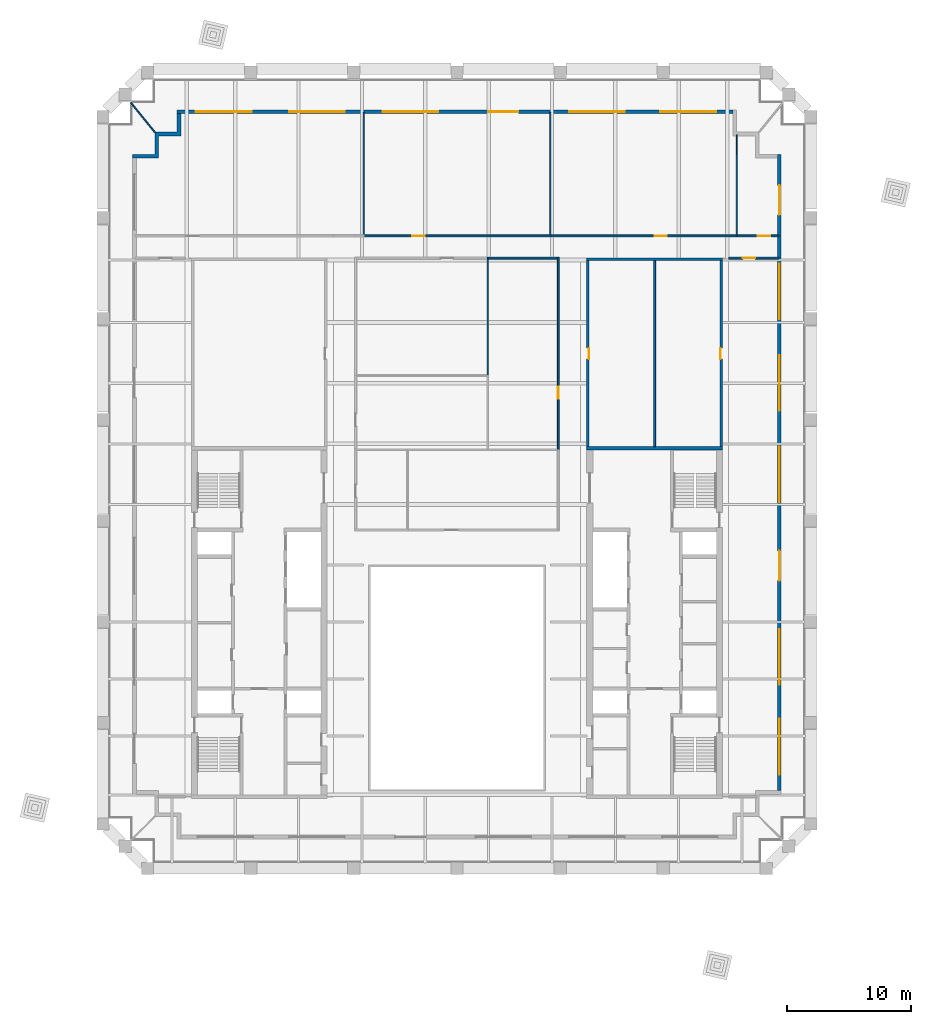
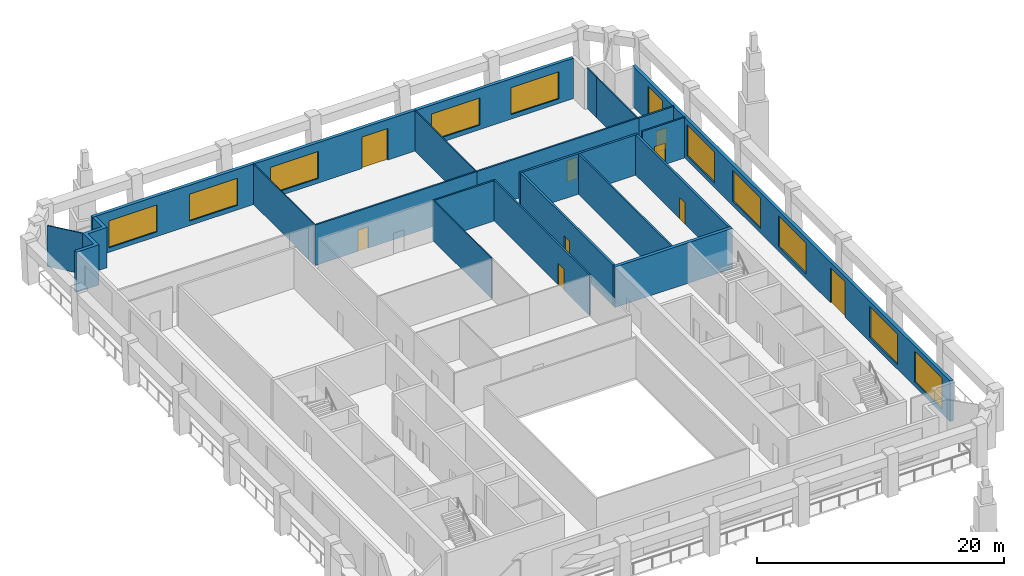
# One storey, part 6 of 8: 20 walls, 10 doors, 10 windows, 20 openings.
"""IFC4 building model written with IfcOpenShell, lengths in metres."""

from ifc_helpers import new_model, si_unit, direction, frame, frame_2d, origin, place, context, subcontext, project, spatial, polyline, rectangle, outline, extrude, material, layer, layer_set, type_object, element, fill, save


model = new_model("IFC4")

# Units and contexts
model_context = context("Model", 3, precision=1e-05, world=origin(), true_north=direction((0.0, 1.0)))
body_context = subcontext(model_context, "Body", "Model", "MODEL_VIEW")
ifc_project = project(units=[si_unit("LENGTHUNIT", "METRE"), si_unit("AREAUNIT", "SQUARE_METRE"), si_unit("VOLUMEUNIT", "CUBIC_METRE"), si_unit("PLANEANGLEUNIT", "RADIAN"), si_unit("MASSUNIT", "GRAM", prefix="KILO")], contexts=[model_context])

# Site, building, storey
site_placement = place(None, origin())
site = spatial("IfcSite", under=ifc_project, at=site_placement, CompositionType="ELEMENT")
building_placement = place(site_placement, origin())
building = spatial("IfcBuilding", under=site, at=building_placement, Name="Ogive Exchange Tower", CompositionType="ELEMENT")
storey_placement = place(building_placement, frame((0.0, 0.0, 309.0)))
storey = spatial("IfcBuildingStorey", under=building, at=storey_placement, Name="L67", CompositionType="ELEMENT", Elevation=309.0)

# Wall
ifc_material_1 = material(Name="Gypsum board partition")
ifc_layer_1 = layer(ifc_material_1, 0.14990234375)
ifc_layer_set_1 = layer_set([ifc_layer_1], Name="Core room partition 150 gypsum")
wall_type_1 = type_object("IfcWallType", Name="Core room partition 150 gypsum", PredefinedType="PARTITIONING", material=ifc_layer_set_1)
wall_1_placement = place(storey_placement, frame((16.0, 25.75, 0.0), z_axis=(0.0, 0.0, 1.0), x_axis=(0.0, 1.0, 0.0)))
element("IfcWall", 1, at=wall_1_placement, inside=storey, type_object=wall_type_1, Name="E annex N column wall", PredefinedType="PARTITIONING", context=body_context, shape_type="SweptSolid", body=[
    extrude(rectangle(XDim=15.050048828125, YDim=0.14990234375, at=frame_2d((7.52490234375, 0.0))), origin(), (0.0, 0.0, 1.0), 4.0),
])

# Wall, opening, door
ifc_material_2 = material(Name="Fire partition EI 60 150")
ifc_layer_2 = layer(ifc_material_2, 0.14990234375)
ifc_layer_set_2 = layer_set([ifc_layer_2], Name="Fire partition EI 60 150")
wall_type_2 = type_object("IfcWallType", Name="Fire partition EI 60 150", PredefinedType="PARTITIONING", material=ifc_layer_set_2)
wall_2_placement = place(storey_placement, frame((-7.550048828125, 42.800048828125, 0.0), z_axis=(0.0, 0.0, 1.0), x_axis=(1.0, 0.0, 0.0)))
wall_2 = element("IfcWall", 2, at=wall_2_placement, inside=storey, type_object=wall_type_2, Name="L67-PWL-012", PredefinedType="PARTITIONING", context=body_context, shape_type="SweptSolid", body=[
    extrude(rectangle(XDim=15.150146484375, YDim=0.14990234375, at=frame_2d((7.5751953125, 0.0))), origin(), (0.0, 0.0, 1.0), 4.0),
])
opening_1_placement = place(wall_2_placement, frame((3.949951171875, 0.0, 0.0)))
opening_1 = element("IfcOpeningElement", 3, at=opening_1_placement, cuts=wall_2, Name="Opening L67-I03", PredefinedType="OPENING", context=body_context, shape_type="SweptSolid", body=[
    extrude(rectangle(XDim=1.0, YDim=2.10009765625, at=frame_2d((0.5, 1.050048828125))), frame((0.0, 0.0849609375, 0.0), z_axis=(0.0, -1.0, 0.0), x_axis=(1.0, 0.0, 0.0)), (0.0, 0.0, 1.0), 0.169921875),
])
ifc_material_3 = material(Name="Fire door FD 30S 1000 x 2100")
door_type_1 = type_object("IfcDoorType", Name="Fire door FD 30S 1000 x 2100", OperationType="NOTDEFINED", PredefinedType="DOOR", material=ifc_material_3)
door_1_placement = place(opening_1_placement, origin())
door_1 = element("IfcDoor", 4, at=door_1_placement, inside=storey, type_object=door_type_1, Name="L67-IDR-003", ObjectType="DT3", OperationType="SINGLE_SWING_RIGHT", OverallHeight=2.10009765625, OverallWidth=1.0, PredefinedType="DOOR", context=body_context, shape_type="SweptSolid", body=[
    extrude(rectangle(XDim=1.0, YDim=2.10009765625, at=frame_2d((0.5, 1.050048828125))), frame((0.0, 0.02490234375, 0.0), z_axis=(0.0, -1.0, 0.0), x_axis=(1.0, 0.0, 0.0)), (0.0, 0.0, 1.0), 0.050048828125),
])
fill(opening_1, door_1)

wall_3_placement = place(storey_placement, frame((7.550048828125, 42.800048828125, 0.0), z_axis=(0.0, 0.0, 1.0), x_axis=(1.0, 0.0, 0.0)))
wall_3 = element("IfcWall", 5, at=wall_3_placement, inside=storey, type_object=wall_type_2, Name="L67-PWL-021", PredefinedType="PARTITIONING", context=body_context, shape_type="SweptSolid", body=[
    extrude(rectangle(XDim=15.14990234375, YDim=0.14990234375, at=frame_2d((7.574951171875, 0.0))), origin(), (0.0, 0.0, 1.0), 4.0),
])
opening_2_placement = place(wall_3_placement, frame((8.449951171875, 0.0, 0.0)))
opening_2 = element("IfcOpeningElement", 6, at=opening_2_placement, cuts=wall_3, Name="Opening L67-I02", PredefinedType="OPENING", context=body_context, shape_type="SweptSolid", body=[
    extrude(rectangle(XDim=1.0, YDim=2.10009765625, at=frame_2d((0.5, 1.050048828125))), frame((0.0, 0.0849609375, 0.0), z_axis=(0.0, -1.0, 0.0), x_axis=(1.0, 0.0, 0.0)), (0.0, 0.0, 1.0), 0.169921875),
])
door_2_placement = place(opening_2_placement, origin())
door_2 = element("IfcDoor", 7, at=door_2_placement, inside=storey, type_object=door_type_1, Name="L67-IDR-002", ObjectType="DT3", OperationType="SINGLE_SWING_RIGHT", OverallHeight=2.10009765625, OverallWidth=1.0, PredefinedType="DOOR", context=body_context, shape_type="SweptSolid", body=[
    extrude(rectangle(XDim=1.0, YDim=2.10009765625, at=frame_2d((0.5, 1.050048828125))), frame((0.0, 0.02490234375, 0.0), z_axis=(0.0, -1.0, 0.0), x_axis=(1.0, 0.0, 0.0)), (0.0, 0.0, 1.0), 0.050048828125),
])
fill(opening_2, door_2)

wall_4_placement = place(storey_placement, frame((8.199951171875, 25.5, 0.0), z_axis=(0.0, 0.0, 1.0), x_axis=(0.0, 1.0, 0.0)))
wall_4 = element("IfcWall", 8, at=wall_4_placement, inside=storey, type_object=wall_type_2, Name="L67-PWL-024", PredefinedType="PARTITIONING", context=body_context, shape_type="SweptSolid", body=[
    extrude(rectangle(XDim=15.574951171875, YDim=0.14990234375, at=frame_2d((7.78759765625, 0.0))), origin(), (0.0, 0.0, 1.0), 4.0),
])
opening_3_placement = place(wall_4_placement, frame((4.10009765625, 0.0, 0.0)))
opening_3 = element("IfcOpeningElement", 9, at=opening_3_placement, cuts=wall_4, Name="Opening L67-I05", PredefinedType="OPENING", context=body_context, shape_type="SweptSolid", body=[
    extrude(rectangle(XDim=1.0, YDim=2.10009765625, at=frame_2d((0.5, 1.050048828125))), frame((0.0, 0.0849609375, 0.0), z_axis=(0.0, -1.0, 0.0), x_axis=(1.0, 0.0, 0.0)), (0.0, 0.0, 1.0), 0.169921875),
])
door_3_placement = place(opening_3_placement, origin())
door_3 = element("IfcDoor", 10, at=door_3_placement, inside=storey, type_object=door_type_1, Name="L67-IDR-005", ObjectType="DT3", OperationType="SINGLE_SWING_LEFT", OverallHeight=2.10009765625, OverallWidth=1.0, PredefinedType="DOOR", context=body_context, shape_type="SweptSolid", body=[
    extrude(rectangle(XDim=1.0, YDim=2.10009765625, at=frame_2d((0.5, 1.050048828125))), frame((0.0, 0.02490234375, 0.0), z_axis=(0.0, -1.0, 0.0), x_axis=(1.0, 0.0, 0.0)), (0.0, 0.0, 1.0), 0.050048828125),
])
fill(opening_3, door_3)

# Wall
wall_5_placement = place(storey_placement, frame((8.125, 41.0, 0.0), z_axis=(0.0, 0.0, 1.0), x_axis=(-1.0, 0.0, 0.0)))
element("IfcWall", 11, at=wall_5_placement, inside=storey, type_object=wall_type_2, Name="L67-PWL-025", PredefinedType="PARTITIONING", context=body_context, shape_type="SweptSolid", body=[
    extrude(rectangle(XDim=5.574951171875, YDim=0.14990234375, at=frame_2d((2.78759765625, 0.0))), origin(), (0.0, 0.0, 1.0), 4.0),
])

# Wall, opening, door
wall_6_placement = place(storey_placement, frame((22.699951171875, 42.800048828125, 0.0), z_axis=(0.0, 0.0, 1.0), x_axis=(1.0, 0.0, 0.0)))
wall_6 = element("IfcWall", 12, at=wall_6_placement, inside=storey, type_object=wall_type_2, Name="L67-PWL-028", PredefinedType="PARTITIONING", context=body_context, shape_type="SweptSolid", body=[
    extrude(rectangle(XDim=3.35009765625, YDim=0.14990234375, at=frame_2d((1.675048828125, 0.0))), origin(), (0.0, 0.0, 1.0), 4.0),
])
opening_4_placement = place(wall_6_placement, frame((1.64990234375, 0.0, 0.0)))
opening_4 = element("IfcOpeningElement", 13, at=opening_4_placement, cuts=wall_6, Name="Opening L67-I01", PredefinedType="OPENING", context=body_context, shape_type="SweptSolid", body=[
    extrude(rectangle(XDim=1.0, YDim=2.10009765625, at=frame_2d((0.5, 1.050048828125))), frame((0.0, 0.0849609375, 0.0), z_axis=(0.0, -1.0, 0.0), x_axis=(1.0, 0.0, 0.0)), (0.0, 0.0, 1.0), 0.169921875),
])
door_4_placement = place(opening_4_placement, origin())
door_4 = element("IfcDoor", 14, at=door_4_placement, inside=storey, type_object=door_type_1, Name="L67-IDR-001", ObjectType="DT3", OperationType="SINGLE_SWING_LEFT", OverallHeight=2.10009765625, OverallWidth=1.0, PredefinedType="DOOR", context=body_context, shape_type="SweptSolid", body=[
    extrude(rectangle(XDim=1.0, YDim=2.10009765625, at=frame_2d((0.5, 1.050048828125))), frame((0.0, 0.02490234375, 0.0), z_axis=(0.0, -1.0, 0.0), x_axis=(1.0, 0.0, 0.0)), (0.0, 0.0, 1.0), 0.050048828125),
])
fill(opening_4, door_4)

wall_7_placement = place(storey_placement, frame((26.050048828125, 41.0, 0.0), z_axis=(0.0, 0.0, 1.0), x_axis=(-1.0, 0.0, 0.0)))
wall_7 = element("IfcWall", 15, at=wall_7_placement, inside=storey, type_object=wall_type_2, Name="L67-PWL-030", PredefinedType="PARTITIONING", context=body_context, shape_type="SweptSolid", body=[
    extrude(rectangle(XDim=4.050048828125, YDim=0.14990234375, at=frame_2d((2.02490234375, 0.0))), origin(), (0.0, 0.0, 1.0), 4.0),
])
opening_5_placement = place(wall_7_placement, frame((1.89990234375, 0.0, 0.0)))
opening_5 = element("IfcOpeningElement", 16, at=opening_5_placement, cuts=wall_7, Name="Opening L67-I11", PredefinedType="OPENING", context=body_context, shape_type="SweptSolid", body=[
    extrude(rectangle(XDim=1.0, YDim=2.10009765625, at=frame_2d((0.5, 1.050048828125))), frame((0.0, 0.0849609375, 0.0), z_axis=(0.0, -1.0, 0.0), x_axis=(1.0, 0.0, 0.0)), (0.0, 0.0, 1.0), 0.169921875),
])
door_5_placement = place(opening_5_placement, origin())
door_5 = element("IfcDoor", 17, at=door_5_placement, inside=storey, type_object=door_type_1, Name="L67-IDR-011", ObjectType="DT3", OperationType="SINGLE_SWING_LEFT", OverallHeight=2.10009765625, OverallWidth=1.0, PredefinedType="DOOR", context=body_context, shape_type="SweptSolid", body=[
    extrude(rectangle(XDim=1.0, YDim=2.10009765625, at=frame_2d((0.5, 1.050048828125))), frame((0.0, 0.02490234375, 0.0), z_axis=(0.0, -1.0, 0.0), x_axis=(1.0, 0.0, 0.0)), (0.0, 0.0, 1.0), 0.050048828125),
])
fill(opening_5, door_5)

# Wall, openings, doors, windows
ifc_material_4 = material(Name="Precast concrete C40/50", Category="concrete")
ifc_layer_3 = layer(ifc_material_4, 0.300048828125)
ifc_layer_set_3 = layer_set([ifc_layer_3], Name="Limestone-faced wall 300")
wall_type_3 = type_object("IfcWallType", Name="Limestone-faced wall 300", PredefinedType="STANDARD", material=ifc_layer_set_3)
wall_8_placement = place(storey_placement, frame((26.10009765625, -2.10009765625, 0.0), z_axis=(0.0, 0.0, 1.0), x_axis=(0.0, 1.0, 0.0)))
wall_8 = element("IfcWall", 18, at=wall_8_placement, inside=storey, type_object=wall_type_3, Name="External wall E2", PredefinedType="STANDARD", context=body_context, shape_type="SweptSolid", body=[
    extrude(rectangle(XDim=51.5, YDim=0.300048828125, at=frame_2d((25.75, 0.0))), origin(), (0.0, 0.0, 1.0), 4.0),
])
opening_6_placement = place(wall_8_placement, frame((1.300048828125, 0.0, 0.449951171875)))
opening_6 = element("IfcOpeningElement", 19, at=opening_6_placement, cuts=wall_8, Name="Opening W1", PredefinedType="OPENING", context=body_context, shape_type="SweptSolid", body=[
    extrude(rectangle(XDim=4.5, YDim=3.050048828125, at=frame_2d((2.25, 1.52490234375))), frame((0.0, 0.159912109375, 0.0), z_axis=(0.0, -1.0, 0.0), x_axis=(1.0, 0.0, 0.0)), (0.0, 0.0, 1.0), 0.320068359375),
])
opening_7_placement = place(wall_8_placement, frame((8.550048828125, 0.0, 0.449951171875)))
opening_7 = element("IfcOpeningElement", 20, at=opening_7_placement, cuts=wall_8, Name="Opening W1", PredefinedType="OPENING", context=body_context, shape_type="SweptSolid", body=[
    extrude(rectangle(XDim=4.5, YDim=3.050048828125, at=frame_2d((2.25, 1.52490234375))), frame((0.0, 0.159912109375, 0.0), z_axis=(0.0, -1.0, 0.0), x_axis=(1.0, 0.0, 0.0)), (0.0, 0.0, 1.0), 0.320068359375),
])
opening_8_placement = place(wall_8_placement, frame((17.0, 0.0, 0.0)))
opening_8 = element("IfcOpeningElement", 21, at=opening_8_placement, cuts=wall_8, Name="Opening D1", PredefinedType="OPENING", context=body_context, shape_type="SweptSolid", body=[
    extrude(rectangle(XDim=2.39990234375, YDim=3.5, at=frame_2d((1.199951171875, 1.75))), frame((0.0, 0.159912109375, 0.0), z_axis=(0.0, -1.0, 0.0), x_axis=(1.0, 0.0, 0.0)), (0.0, 0.0, 1.0), 0.320068359375),
])
opening_9_placement = place(wall_8_placement, frame((23.35009765625, 0.0, 0.449951171875)))
opening_9 = element("IfcOpeningElement", 22, at=opening_9_placement, cuts=wall_8, Name="Opening W1", PredefinedType="OPENING", context=body_context, shape_type="SweptSolid", body=[
    extrude(rectangle(XDim=4.5, YDim=3.050048828125, at=frame_2d((2.25, 1.52490234375))), frame((0.0, 0.159912109375, 0.0), z_axis=(0.0, -1.0, 0.0), x_axis=(1.0, 0.0, 0.0)), (0.0, 0.0, 1.0), 0.320068359375),
])
opening_10_placement = place(wall_8_placement, frame((30.75, 0.0, 0.449951171875)))
opening_10 = element("IfcOpeningElement", 23, at=opening_10_placement, cuts=wall_8, Name="Opening W1", PredefinedType="OPENING", context=body_context, shape_type="SweptSolid", body=[
    extrude(rectangle(XDim=4.5, YDim=3.050048828125, at=frame_2d((2.25, 1.52490234375))), frame((0.0, 0.159912109375, 0.0), z_axis=(0.0, -1.0, 0.0), x_axis=(1.0, 0.0, 0.0)), (0.0, 0.0, 1.0), 0.320068359375),
])
opening_11_placement = place(wall_8_placement, frame((38.14990234375, 0.0, 0.449951171875)))
opening_11 = element("IfcOpeningElement", 24, at=opening_11_placement, cuts=wall_8, Name="Opening W1", PredefinedType="OPENING", context=body_context, shape_type="SweptSolid", body=[
    extrude(rectangle(XDim=4.5, YDim=3.050048828125, at=frame_2d((2.25, 1.52490234375))), frame((0.0, 0.159912109375, 0.0), z_axis=(0.0, -1.0, 0.0), x_axis=(1.0, 0.0, 0.0)), (0.0, 0.0, 1.0), 0.320068359375),
])
opening_12_placement = place(wall_8_placement, frame((46.60009765625, 0.0, 0.0)))
opening_12 = element("IfcOpeningElement", 25, at=opening_12_placement, cuts=wall_8, Name="Opening D1", PredefinedType="OPENING", context=body_context, shape_type="SweptSolid", body=[
    extrude(rectangle(XDim=2.39990234375, YDim=3.5, at=frame_2d((1.199951171875, 1.75))), frame((0.0, 0.159912109375, 0.0), z_axis=(0.0, -1.0, 0.0), x_axis=(1.0, 0.0, 0.0)), (0.0, 0.0, 1.0), 0.320068359375),
])
ifc_material_5 = material(Name="Clear glass in bronze frame", Category="glass")
door_type_2 = type_object("IfcDoorType", Name="Sliding loggia door 2400 x 3500", OperationType="DOUBLE_DOOR_SLIDING", PredefinedType="DOOR", material=ifc_material_5)
door_6_placement = place(opening_8_placement, origin())
door_6 = element("IfcDoor", 26, at=door_6_placement, inside=storey, type_object=door_type_2, Name="Loggia door E02", OperationType="DOUBLE_DOOR_SLIDING", OverallHeight=3.5, OverallWidth=2.39990234375, PredefinedType="DOOR", context=body_context, shape_type="SweptSolid", body=[
    extrude(rectangle(XDim=2.39990234375, YDim=3.5, at=frame_2d((1.199951171875, 1.75))), frame((0.0, 0.02490234375, 0.0), z_axis=(0.0, -1.0, 0.0), x_axis=(1.0, 0.0, 0.0)), (0.0, 0.0, 1.0), 0.050048828125),
])
fill(opening_8, door_6)
door_7_placement = place(opening_12_placement, origin())
door_7 = element("IfcDoor", 27, at=door_7_placement, inside=storey, type_object=door_type_2, Name="Loggia door E06", OperationType="DOUBLE_DOOR_SLIDING", OverallHeight=3.5, OverallWidth=2.39990234375, PredefinedType="DOOR", context=body_context, shape_type="SweptSolid", body=[
    extrude(rectangle(XDim=2.39990234375, YDim=3.5, at=frame_2d((1.199951171875, 1.75))), frame((0.0, 0.02490234375, 0.0), z_axis=(0.0, -1.0, 0.0), x_axis=(1.0, 0.0, 0.0)), (0.0, 0.0, 1.0), 0.050048828125),
])
fill(opening_12, door_7)
window_type_1 = type_object("IfcWindowType", Name="Twin lancet window 4500 x 3050", PartitioningType="DOUBLE_PANEL_VERTICAL", PredefinedType="WINDOW", material=ifc_material_5)
window_1_placement = place(opening_6_placement, origin())
window_1 = element("IfcWindow", 28, at=window_1_placement, inside=storey, type_object=window_type_1, Name="Window E00", OverallHeight=3.050048828125, OverallWidth=4.5, PartitioningType="DOUBLE_PANEL_VERTICAL", PredefinedType="WINDOW", context=body_context, shape_type="SweptSolid", body=[
    extrude(rectangle(XDim=4.5, YDim=3.050048828125, at=frame_2d((2.25, 1.52490234375))), frame((0.0, 0.030029296875, 0.0), z_axis=(0.0, -1.0, 0.0), x_axis=(1.0, 0.0, 0.0)), (0.0, 0.0, 1.0), 0.06005859375),
])
fill(opening_6, window_1)
window_2_placement = place(opening_7_placement, origin())
window_2 = element("IfcWindow", 29, at=window_2_placement, inside=storey, type_object=window_type_1, Name="Window E01", OverallHeight=3.050048828125, OverallWidth=4.5, PartitioningType="DOUBLE_PANEL_VERTICAL", PredefinedType="WINDOW", context=body_context, shape_type="SweptSolid", body=[
    extrude(rectangle(XDim=4.5, YDim=3.050048828125, at=frame_2d((2.25, 1.52490234375))), frame((0.0, 0.030029296875, 0.0), z_axis=(0.0, -1.0, 0.0), x_axis=(1.0, 0.0, 0.0)), (0.0, 0.0, 1.0), 0.06005859375),
])
fill(opening_7, window_2)
window_3_placement = place(opening_9_placement, origin())
window_3 = element("IfcWindow", 30, at=window_3_placement, inside=storey, type_object=window_type_1, Name="Window E03", OverallHeight=3.050048828125, OverallWidth=4.5, PartitioningType="DOUBLE_PANEL_VERTICAL", PredefinedType="WINDOW", context=body_context, shape_type="SweptSolid", body=[
    extrude(rectangle(XDim=4.5, YDim=3.050048828125, at=frame_2d((2.25, 1.52490234375))), frame((0.0, 0.030029296875, 0.0), z_axis=(0.0, -1.0, 0.0), x_axis=(1.0, 0.0, 0.0)), (0.0, 0.0, 1.0), 0.06005859375),
])
fill(opening_9, window_3)
window_4_placement = place(opening_10_placement, origin())
window_4 = element("IfcWindow", 31, at=window_4_placement, inside=storey, type_object=window_type_1, Name="Window E04", OverallHeight=3.050048828125, OverallWidth=4.5, PartitioningType="DOUBLE_PANEL_VERTICAL", PredefinedType="WINDOW", context=body_context, shape_type="SweptSolid", body=[
    extrude(rectangle(XDim=4.5, YDim=3.050048828125, at=frame_2d((2.25, 1.52490234375))), frame((0.0, 0.030029296875, 0.0), z_axis=(0.0, -1.0, 0.0), x_axis=(1.0, 0.0, 0.0)), (0.0, 0.0, 1.0), 0.06005859375),
])
fill(opening_10, window_4)
window_5_placement = place(opening_11_placement, origin())
window_5 = element("IfcWindow", 32, at=window_5_placement, inside=storey, type_object=window_type_1, Name="Window E05", OverallHeight=3.050048828125, OverallWidth=4.5, PartitioningType="DOUBLE_PANEL_VERTICAL", PredefinedType="WINDOW", context=body_context, shape_type="SweptSolid", body=[
    extrude(rectangle(XDim=4.5, YDim=3.050048828125, at=frame_2d((2.25, 1.52490234375))), frame((0.0, 0.030029296875, 0.0), z_axis=(0.0, -1.0, 0.0), x_axis=(1.0, 0.0, 0.0)), (0.0, 0.0, 1.0), 0.06005859375),
])
fill(opening_11, window_5)

# Wall, openings, door, windows
wall_9_placement = place(storey_placement, frame((22.35009765625, 52.85009765625, 0.0), z_axis=(0.0, 0.0, 1.0), x_axis=(-1.0, 0.0, 0.0)))
wall_9 = element("IfcWall", 33, at=wall_9_placement, inside=storey, type_object=wall_type_3, Name="External wall N3", PredefinedType="STANDARD", context=body_context, shape_type="SweptSolid", body=[
    extrude(rectangle(XDim=45.0, YDim=0.300048828125, at=frame_2d((22.5, 0.0))), origin(), (0.0, 0.0, 1.0), 4.0),
])
opening_13_placement = place(wall_9_placement, frame((1.375, 0.0, 0.449951171875)))
opening_13 = element("IfcOpeningElement", 34, at=opening_13_placement, cuts=wall_9, Name="Opening W1J", PredefinedType="OPENING", context=body_context, shape_type="SweptSolid", body=[
    extrude(rectangle(XDim=4.5, YDim=2.675048828125, at=frame_2d((2.25, 1.33740234375))), frame((0.0, 0.159912109375, 0.0), z_axis=(0.0, -1.0, 0.0), x_axis=(1.0, 0.0, 0.0)), (0.0, 0.0, 1.0), 0.320068359375),
])
opening_14_placement = place(wall_9_placement, frame((8.77490234375, 0.0, 0.449951171875)))
opening_14 = element("IfcOpeningElement", 35, at=opening_14_placement, cuts=wall_9, Name="Opening W1J", PredefinedType="OPENING", context=body_context, shape_type="SweptSolid", body=[
    extrude(rectangle(XDim=4.5, YDim=2.675048828125, at=frame_2d((2.25, 1.33740234375))), frame((0.0, 0.159912109375, 0.0), z_axis=(0.0, -1.0, 0.0), x_axis=(1.0, 0.0, 0.0)), (0.0, 0.0, 1.0), 0.320068359375),
])
opening_15_placement = place(wall_9_placement, frame((17.375, 0.0, 0.0)))
opening_15 = element("IfcOpeningElement", 36, at=opening_15_placement, cuts=wall_9, Name="Opening D1J", PredefinedType="OPENING", context=body_context, shape_type="SweptSolid", body=[
    extrude(rectangle(XDim=2.39990234375, YDim=3.125, at=frame_2d((1.199951171875, 1.5625))), frame((0.0, 0.159912109375, 0.0), z_axis=(0.0, -1.0, 0.0), x_axis=(1.0, 0.0, 0.0)), (0.0, 0.0, 1.0), 0.320068359375),
])
opening_16_placement = place(wall_9_placement, frame((23.875, 0.0, 0.449951171875)))
opening_16 = element("IfcOpeningElement", 37, at=opening_16_placement, cuts=wall_9, Name="Opening W1J", PredefinedType="OPENING", context=body_context, shape_type="SweptSolid", body=[
    extrude(rectangle(XDim=4.5, YDim=2.675048828125, at=frame_2d((2.25, 1.33740234375))), frame((0.0, 0.159912109375, 0.0), z_axis=(0.0, -1.0, 0.0), x_axis=(1.0, 0.0, 0.0)), (0.0, 0.0, 1.0), 0.320068359375),
])
opening_17_placement = place(wall_9_placement, frame((31.425048828125, 0.0, 0.449951171875)))
opening_17 = element("IfcOpeningElement", 38, at=opening_17_placement, cuts=wall_9, Name="Opening W1J", PredefinedType="OPENING", context=body_context, shape_type="SweptSolid", body=[
    extrude(rectangle(XDim=4.5, YDim=2.675048828125, at=frame_2d((2.25, 1.33740234375))), frame((0.0, 0.159912109375, 0.0), z_axis=(0.0, -1.0, 0.0), x_axis=(1.0, 0.0, 0.0)), (0.0, 0.0, 1.0), 0.320068359375),
])
opening_18_placement = place(wall_9_placement, frame((38.97509765625, 0.0, 0.449951171875)))
opening_18 = element("IfcOpeningElement", 39, at=opening_18_placement, cuts=wall_9, Name="Opening W1J", PredefinedType="OPENING", context=body_context, shape_type="SweptSolid", body=[
    extrude(rectangle(XDim=4.5, YDim=2.675048828125, at=frame_2d((2.25, 1.33740234375))), frame((0.0, 0.159912109375, 0.0), z_axis=(0.0, -1.0, 0.0), x_axis=(1.0, 0.0, 0.0)), (0.0, 0.0, 1.0), 0.320068359375),
])
door_type_3 = type_object("IfcDoorType", Name="Sliding loggia door 2400 x 3125", OperationType="DOUBLE_DOOR_SLIDING", PredefinedType="DOOR", material=ifc_material_5)
door_8_placement = place(opening_15_placement, origin())
door_8 = element("IfcDoor", 40, at=door_8_placement, inside=storey, type_object=door_type_3, Name="Loggia door N02", OperationType="DOUBLE_DOOR_SLIDING", OverallHeight=3.125, OverallWidth=2.39990234375, PredefinedType="DOOR", context=body_context, shape_type="SweptSolid", body=[
    extrude(rectangle(XDim=2.39990234375, YDim=3.125, at=frame_2d((1.199951171875, 1.5625))), frame((0.0, 0.02490234375, 0.0), z_axis=(0.0, -1.0, 0.0), x_axis=(1.0, 0.0, 0.0)), (0.0, 0.0, 1.0), 0.050048828125),
])
fill(opening_15, door_8)
window_type_2 = type_object("IfcWindowType", Name="Twin lancet window 4500 x 2675", PartitioningType="DOUBLE_PANEL_VERTICAL", PredefinedType="WINDOW", material=ifc_material_5)
window_6_placement = place(opening_13_placement, origin())
window_6 = element("IfcWindow", 41, at=window_6_placement, inside=storey, type_object=window_type_2, Name="Window N00", OverallHeight=2.675048828125, OverallWidth=4.5, PartitioningType="DOUBLE_PANEL_VERTICAL", PredefinedType="WINDOW", context=body_context, shape_type="SweptSolid", body=[
    extrude(rectangle(XDim=4.5, YDim=2.675048828125, at=frame_2d((2.25, 1.33740234375))), frame((0.0, 0.030029296875, 0.0), z_axis=(0.0, -1.0, 0.0), x_axis=(1.0, 0.0, 0.0)), (0.0, 0.0, 1.0), 0.06005859375),
])
fill(opening_13, window_6)
window_7_placement = place(opening_14_placement, origin())
window_7 = element("IfcWindow", 42, at=window_7_placement, inside=storey, type_object=window_type_2, Name="Window N01", OverallHeight=2.675048828125, OverallWidth=4.5, PartitioningType="DOUBLE_PANEL_VERTICAL", PredefinedType="WINDOW", context=body_context, shape_type="SweptSolid", body=[
    extrude(rectangle(XDim=4.5, YDim=2.675048828125, at=frame_2d((2.25, 1.33740234375))), frame((0.0, 0.030029296875, 0.0), z_axis=(0.0, -1.0, 0.0), x_axis=(1.0, 0.0, 0.0)), (0.0, 0.0, 1.0), 0.06005859375),
])
fill(opening_14, window_7)
window_8_placement = place(opening_16_placement, origin())
window_8 = element("IfcWindow", 43, at=window_8_placement, inside=storey, type_object=window_type_2, Name="Window N03", OverallHeight=2.675048828125, OverallWidth=4.5, PartitioningType="DOUBLE_PANEL_VERTICAL", PredefinedType="WINDOW", context=body_context, shape_type="SweptSolid", body=[
    extrude(rectangle(XDim=4.5, YDim=2.675048828125, at=frame_2d((2.25, 1.33740234375))), frame((0.0, 0.030029296875, 0.0), z_axis=(0.0, -1.0, 0.0), x_axis=(1.0, 0.0, 0.0)), (0.0, 0.0, 1.0), 0.06005859375),
])
fill(opening_16, window_8)
window_9_placement = place(opening_17_placement, origin())
window_9 = element("IfcWindow", 44, at=window_9_placement, inside=storey, type_object=window_type_2, Name="Window N04", OverallHeight=2.675048828125, OverallWidth=4.5, PartitioningType="DOUBLE_PANEL_VERTICAL", PredefinedType="WINDOW", context=body_context, shape_type="SweptSolid", body=[
    extrude(rectangle(XDim=4.5, YDim=2.675048828125, at=frame_2d((2.25, 1.33740234375))), frame((0.0, 0.030029296875, 0.0), z_axis=(0.0, -1.0, 0.0), x_axis=(1.0, 0.0, 0.0)), (0.0, 0.0, 1.0), 0.06005859375),
])
fill(opening_17, window_9)
window_10_placement = place(opening_18_placement, origin())
window_10 = element("IfcWindow", 45, at=window_10_placement, inside=storey, type_object=window_type_2, Name="Window N05", OverallHeight=2.675048828125, OverallWidth=4.5, PartitioningType="DOUBLE_PANEL_VERTICAL", PredefinedType="WINDOW", context=body_context, shape_type="SweptSolid", body=[
    extrude(rectangle(XDim=4.5, YDim=2.675048828125, at=frame_2d((2.25, 1.33740234375))), frame((0.0, 0.030029296875, 0.0), z_axis=(0.0, -1.0, 0.0), x_axis=(1.0, 0.0, 0.0)), (0.0, 0.0, 1.0), 0.06005859375),
])
fill(opening_18, window_10)

# Walls
wall_10_placement = place(storey_placement, origin())
element("IfcWall", 46, at=wall_10_placement, inside=storey, type_object=wall_type_3, Name="External corner wall C3", PredefinedType="STANDARD", context=body_context, shape_type="SweptSolid", body=[
    extrude(outline(polyline([(-24.449951171875, 49.39990234375), (-24.449951171875, 51.199951171875), (-22.64990234375, 51.199951171875), (-22.64990234375, 52.699951171875), (-22.35009765625, 52.699951171875), (-22.35009765625, 50.89990234375), (-24.14990234375, 50.89990234375), (-24.14990234375, 49.10009765625), (-26.25, 49.10009765625), (-26.25, 49.39990234375), (-24.449951171875, 49.39990234375)])), origin(), (0.0, 0.0, 1.0), 4.0),
])
ifc_material_6 = material(Name="Laminated safety glass in steel frame", Category="steel")
ifc_layer_4 = layer(ifc_material_6, 0.10009765625)
ifc_layer_set_4 = layer_set([ifc_layer_4], Name="Loggia end screen 100")
wall_type_4 = type_object("IfcWallType", Name="Loggia end screen 100", PredefinedType="STANDARD", material=ifc_layer_set_4)
wall_11_placement = place(storey_placement, frame((-24.449951171875, 51.199951171875, -0.050048828125), z_axis=(0.0, 0.0, 1.0), x_axis=(-0.631657032083, 0.775247956347, 0.0)))
element("IfcWall", 47, at=wall_11_placement, inside=storey, type_object=wall_type_4, Name="Loggia end screen C3", PredefinedType="STANDARD", context=body_context, shape_type="SweptSolid", body=[
    extrude(rectangle(XDim=3.072265625, YDim=0.10009765625, at=frame_2d((1.5361328125, 0.0))), origin(), (0.0, 0.0, 1.0), 4.050048828125),
])
ifc_material_7 = material(Name="Partition 100 gypsum")
ifc_layer_5 = layer(ifc_material_7, 0.10009765625)
ifc_layer_set_5 = layer_set([ifc_layer_5], Name="Partition 100 gypsum")
wall_type_5 = type_object("IfcWallType", Name="Partition 100 gypsum", PredefinedType="PARTITIONING", material=ifc_layer_set_5)
wall_12_placement = place(storey_placement, frame((-7.550048828125, 42.875, 0.0), z_axis=(0.0, 0.0, 1.0), x_axis=(0.0, 1.0, 0.0)))
element("IfcWall", 48, at=wall_12_placement, inside=storey, type_object=wall_type_5, Name="L67-PWL-011", PredefinedType="PARTITIONING", context=body_context, shape_type="SweptSolid", body=[
    extrude(rectangle(XDim=9.925048828125, YDim=0.10009765625, at=frame_2d((4.96240234375, 0.0))), origin(), (0.0, 0.0, 1.0), 4.0),
])
wall_13_placement = place(storey_placement, frame((2.5, 31.550048828125, 0.0), z_axis=(0.0, 0.0, 1.0), x_axis=(0.0, 1.0, 0.0)))
element("IfcWall", 49, at=wall_13_placement, inside=storey, type_object=wall_type_5, Name="L67-PWL-018", PredefinedType="PARTITIONING", context=body_context, shape_type="SweptSolid", body=[
    extrude(rectangle(XDim=9.52490234375, YDim=0.10009765625, at=frame_2d((4.762451171875, 0.0))), origin(), (0.0, 0.0, 1.0), 4.0),
])
wall_14_placement = place(storey_placement, frame((7.550048828125, 42.875, 0.0), z_axis=(0.0, 0.0, 1.0), x_axis=(0.0, 1.0, 0.0)))
element("IfcWall", 50, at=wall_14_placement, inside=storey, type_object=wall_type_5, Name="L67-PWL-020", PredefinedType="PARTITIONING", context=body_context, shape_type="SweptSolid", body=[
    extrude(rectangle(XDim=9.925048828125, YDim=0.10009765625, at=frame_2d((4.96240234375, 0.0))), origin(), (0.0, 0.0, 1.0), 4.0),
])
wall_15_placement = place(storey_placement, frame((22.64990234375, 42.875, 0.0), z_axis=(0.0, 0.0, 1.0), x_axis=(0.0, 1.0, 0.0)))
element("IfcWall", 51, at=wall_15_placement, inside=storey, type_object=wall_type_5, Name="L67-PWL-027", PredefinedType="PARTITIONING", context=body_context, shape_type="SweptSolid", body=[
    extrude(rectangle(XDim=6.534912109375, YDim=0.10009765625, at=frame_2d((3.267578125, 0.0))), origin(), (0.0, 0.0, 1.0), 4.0),
])
wall_16_placement = place(storey_placement, frame((22.659912109375, 49.409912109375, 0.0), z_axis=(0.0, 0.0, 1.0), x_axis=(0.0, 1.0, 0.0)))
element("IfcWall", 52, at=wall_16_placement, inside=storey, type_object=wall_type_5, Name="L67-PWL-029", PredefinedType="PARTITIONING", context=body_context, shape_type="SweptSolid", body=[
    extrude(rectangle(XDim=1.590087890625, YDim=0.10009765625, at=frame_2d((0.794921875, 0.0))), origin(), (0.0, 0.0, 1.0), 4.0),
])

# Wall, opening, door
ifc_material_8 = material(Name="Concrete C70/85", Category="concrete")
ifc_layer_6 = layer(ifc_material_8, 0.199951171875)
ifc_layer_set_6 = layer_set([ifc_layer_6], Name="RC core wall 200 C70/85")
wall_type_6 = type_object("IfcWallType", Name="RC core wall 200 C70/85", PredefinedType="SHEAR", material=ifc_layer_set_6)
wall_17_placement = place(storey_placement, frame((21.39990234375, 25.75, 0.0), z_axis=(0.0, 0.0, 1.0), x_axis=(0.0, 1.0, 0.0)))
wall_17 = element("IfcWall", 53, at=wall_17_placement, inside=storey, type_object=wall_type_6, Name="E annex N outer wall", PredefinedType="SHEAR", context=body_context, shape_type="SweptSolid", body=[
    extrude(rectangle(XDim=15.050048828125, YDim=0.199951171875, at=frame_2d((7.52490234375, 0.0))), origin(), (0.0, 0.0, 1.0), 4.0),
])
opening_19_placement = place(wall_17_placement, frame((7.074951171875, 0.0, 0.0)))
opening_19 = element("IfcOpeningElement", 54, at=opening_19_placement, cuts=wall_17, Name="Opening L67-C36", PredefinedType="OPENING", context=body_context, shape_type="SweptSolid", body=[
    extrude(rectangle(XDim=0.89990234375, YDim=2.10009765625, at=frame_2d((0.449951171875, 1.050048828125))), frame((0.0, 0.10986328125, 0.0), z_axis=(0.0, -1.0, 0.0), x_axis=(1.0, 0.0, 0.0)), (0.0, 0.0, 1.0), 0.219970703125),
])
ifc_material_9 = material(Name="Steel fire door", Category="steel")
door_type_4 = type_object("IfcDoorType", Name="Riser door FD60 900 x 2100", OperationType="NOTDEFINED", PredefinedType="DOOR", material=ifc_material_9)
door_9_placement = place(opening_19_placement, frame((0.89990234375, 0.14990234375, 0.0), z_axis=(0.0, 0.0, 1.0), x_axis=(-1.0, 0.0, 0.0)))
door_9 = element("IfcDoor", 55, at=door_9_placement, inside=storey, type_object=door_type_4, Name="Riser door", ObjectType="CD2", OperationType="SINGLE_SWING_LEFT", OverallHeight=2.10009765625, OverallWidth=0.89990234375, PredefinedType="DOOR", context=body_context, shape_type="SweptSolid", body=[
    extrude(rectangle(XDim=0.89990234375, YDim=2.10009765625, at=frame_2d((0.449951171875, 1.050048828125))), frame((0.0, 0.10009765625, 0.0), z_axis=(0.0, -1.0, 0.0), x_axis=(1.0, 0.0, 0.0)), (0.0, 0.0, 1.0), 0.050048828125),
])
fill(opening_19, door_9)

wall_18_placement = place(storey_placement, frame((10.60009765625, 25.75, 0.0), z_axis=(0.0, 0.0, 1.0), x_axis=(0.0, 1.0, 0.0)))
wall_18 = element("IfcWall", 56, at=wall_18_placement, inside=storey, type_object=wall_type_6, Name="E annex N inner wall", PredefinedType="SHEAR", context=body_context, shape_type="SweptSolid", body=[
    extrude(rectangle(XDim=15.050048828125, YDim=0.199951171875, at=frame_2d((7.52490234375, 0.0))), origin(), (0.0, 0.0, 1.0), 4.0),
])
opening_20_placement = place(wall_18_placement, frame((7.074951171875, 0.0, 0.0)))
opening_20 = element("IfcOpeningElement", 57, at=opening_20_placement, cuts=wall_18, Name="Opening L67-C37", PredefinedType="OPENING", context=body_context, shape_type="SweptSolid", body=[
    extrude(rectangle(XDim=0.89990234375, YDim=2.10009765625, at=frame_2d((0.449951171875, 1.050048828125))), frame((0.0, 0.10986328125, 0.0), z_axis=(0.0, -1.0, 0.0), x_axis=(1.0, 0.0, 0.0)), (0.0, 0.0, 1.0), 0.219970703125),
])
ifc_material_10 = material(Name="Timber fire door", Category="wood")
door_type_5 = type_object("IfcDoorType", Name="Core room door FD30S 900 x 2100", OperationType="NOTDEFINED", PredefinedType="DOOR", material=ifc_material_10)
door_10_placement = place(opening_20_placement, origin())
door_10 = element("IfcDoor", 58, at=door_10_placement, inside=storey, type_object=door_type_5, Name="Core room door", ObjectType="CD6", OperationType="SINGLE_SWING_RIGHT", OverallHeight=2.10009765625, OverallWidth=0.89990234375, PredefinedType="DOOR", context=body_context, shape_type="SweptSolid", body=[
    extrude(rectangle(XDim=0.89990234375, YDim=2.10009765625, at=frame_2d((0.449951171875, 1.050048828125))), frame((0.0, -0.0498046875, 0.0), z_axis=(0.0, -1.0, 0.0), x_axis=(1.0, 0.0, 0.0)), (0.0, 0.0, 1.0), 0.050048828125),
])
fill(opening_20, door_10)

# Walls
wall_19_placement = place(storey_placement, frame((10.5, 40.89990234375, 0.0), z_axis=(0.0, 0.0, 1.0), x_axis=(1.0, 0.0, 0.0)))
element("IfcWall", 59, at=wall_19_placement, inside=storey, type_object=wall_type_6, Name="E annex N end wall", PredefinedType="SHEAR", context=body_context, shape_type="SweptSolid", body=[
    extrude(rectangle(XDim=11.0, YDim=0.199951171875, at=frame_2d((5.5, 0.0))), origin(), (0.0, 0.0, 1.0), 4.0),
])
ifc_layer_7 = layer(ifc_material_8, 0.300048828125)
ifc_layer_set_7 = layer_set([ifc_layer_7], Name="RC core wall 300 C70/85")
wall_type_7 = type_object("IfcWallType", Name="RC core wall 300 C70/85", PredefinedType="SHEAR", material=ifc_layer_set_7)
wall_20_placement = place(storey_placement, frame((10.5, 25.60009765625, 0.0), z_axis=(0.0, 0.0, 1.0), x_axis=(1.0, 0.0, 0.0)))
element("IfcWall", 60, at=wall_20_placement, inside=storey, type_object=wall_type_7, Name="E north end wall", PredefinedType="SHEAR", context=body_context, shape_type="SweptSolid", body=[
    extrude(rectangle(XDim=11.0, YDim=0.300048828125, at=frame_2d((5.5, 0.0))), origin(), (0.0, 0.0, 1.0), 4.0),
])

save(model, "model.ifc")
